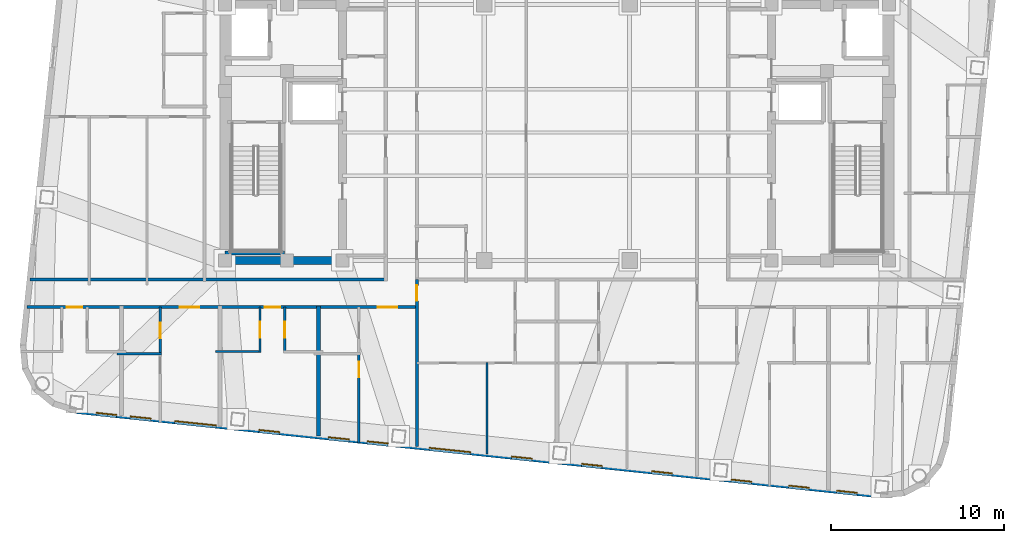
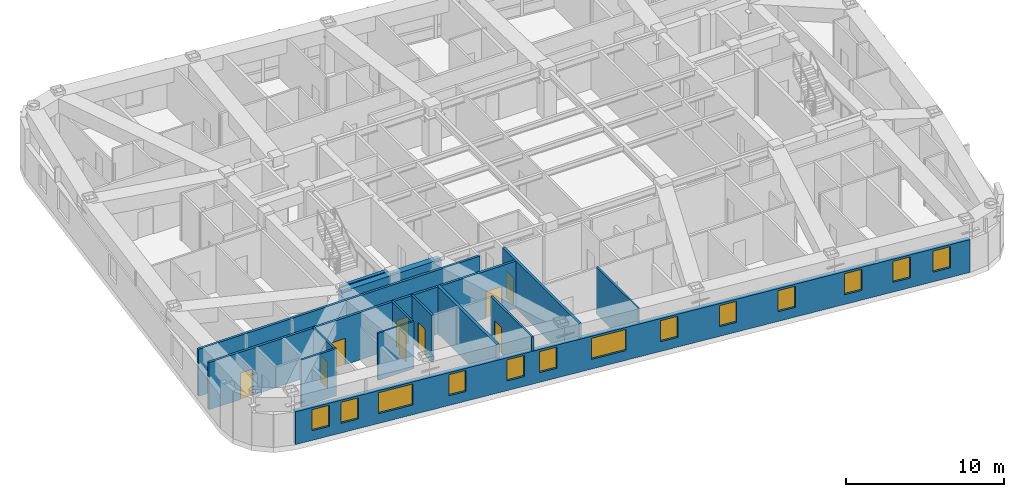
# One storey, part 8 of 16: 14 walls, 13 windows, 9 doors, 22 openings.
"""IFC4 building model written with IfcOpenShell, lengths in metres."""

from ifc_helpers import new_model, si_unit, direction, frame, frame_2d, origin, place, context, subcontext, project, spatial, rectangle, extrude, material, layer, layer_set, type_object, element, fill, save


model = new_model("IFC4")

# Units and contexts
model_context = context("Model", 3, precision=1e-05, world=origin(), true_north=direction((0.0, 1.0)))
body_context = subcontext(model_context, "Body", "Model", "MODEL_VIEW")
ifc_project = project(units=[si_unit("LENGTHUNIT", "METRE"), si_unit("AREAUNIT", "SQUARE_METRE"), si_unit("VOLUMEUNIT", "CUBIC_METRE"), si_unit("PLANEANGLEUNIT", "RADIAN"), si_unit("MASSUNIT", "GRAM", prefix="KILO")], contexts=[model_context])

# Site, building, storey
site_placement = place(None, origin())
site = spatial("IfcSite", under=ifc_project, at=site_placement, CompositionType="ELEMENT")
building_placement = place(site_placement, origin())
building = spatial("IfcBuilding", under=site, at=building_placement, Name="Voryun Gate Residences", CompositionType="ELEMENT")
storey_placement = place(building_placement, frame((0.0, 0.0, 260.0)))
storey = spatial("IfcBuildingStorey", under=building, at=storey_placement, Name="L64", CompositionType="ELEMENT", Elevation=260.0)

# Walls
ifc_material_1 = material(Name="Concrete C50/60", Category="concrete")
ifc_layer_1 = layer(ifc_material_1, 0.449951171875, Name="CW_CORE_450")
ifc_layer_set_1 = layer_set([ifc_layer_1], Name="Concrete C50/60")
wall_type_1 = type_object("IfcWallType", Name="CW_CORE_450", PredefinedType="SHEAR", material=ifc_layer_set_1)
wall_1_placement = place(storey_placement, frame((-19.425048828125, -7.39990234375, 0.0), z_axis=(0.0, 0.0, 1.0), x_axis=(1.0, 0.0, 0.0)))
element("IfcWall", 1, at=wall_1_placement, inside=storey, type_object=wall_type_1, Name="L64 Core shear wall CW-L64-WS", PredefinedType="SHEAR", context=body_context, shape_type="SweptSolid", body=[
    extrude(rectangle(XDim=7.25, YDim=0.449951171875, at=frame_2d((3.625, 0.0))), origin(), (0.0, 0.0, 1.0), 3.64990234375),
])
ifc_material_2 = material(Name="Gypsum acoustic fireboard")
ifc_layer_2 = layer(ifc_material_2, 0.179931640625, Name="W_CORR_RATED_180")
ifc_layer_set_2 = layer_set([ifc_layer_2], Name="Gypsum acoustic fireboard")
wall_type_2 = type_object("IfcWallType", Name="W_CORR_RATED_180", PredefinedType="PARTITIONING", material=ifc_layer_set_2)
wall_2_placement = place(storey_placement, frame((-30.47021484375, -8.489990234375, 0.0), z_axis=(0.0, 0.0, 1.0), x_axis=(1.0, 0.0, 0.0)))
element("IfcWall", 2, at=wall_2_placement, inside=storey, type_object=wall_type_2, Name="Partition wall WP-L64-CWING-WS", PredefinedType="PARTITIONING", context=body_context, shape_type="SweptSolid", body=[
    extrude(rectangle(XDim=20.59033203125, YDim=0.179931640625, at=frame_2d((10.295166015625, 0.0))), origin(), (0.0, 0.0, 1.0), 3.64990234375),
])

# Wall, openings, doors
wall_3_placement = place(storey_placement, frame((-30.639404296875, -10.10009765625, 0.0), z_axis=(0.0, 0.0, 1.0), x_axis=(1.0, 0.0, 0.0)))
wall_3 = element("IfcWall", 3, at=wall_3_placement, inside=storey, type_object=wall_type_2, Name="Partition wall WP-L64-SCORR-W", PredefinedType="PARTITIONING", context=body_context, shape_type="SweptSolid", body=[
    extrude(rectangle(XDim=22.559326171875, YDim=0.179931640625, at=frame_2d((11.27978515625, 0.0))), origin(), (0.0, 0.0, 1.0), 3.64990234375),
])
opening_1_placement = place(wall_3_placement, frame((2.297607421875, 0.0, 0.0)))
opening_1 = element("IfcOpeningElement", 4, at=opening_1_placement, cuts=wall_3, Name="Opening D-INT-2", PredefinedType="OPENING", context=body_context, shape_type="SweptSolid", body=[
    extrude(rectangle(XDim=0.89990234375, YDim=2.050048828125, at=frame_2d((0.449951171875, 1.02490234375))), frame((0.0, 0.099853515625, 0.0), z_axis=(0.0, -1.0, 0.0), x_axis=(1.0, 0.0, 0.0)), (0.0, 0.0, 1.0), 0.199951171875),
])
opening_2_placement = place(wall_3_placement, frame((8.8232421875, 0.0, 0.0)))
opening_2 = element("IfcOpeningElement", 5, at=opening_2_placement, cuts=wall_3, Name="Opening D-UNIT-1", PredefinedType="OPENING", context=body_context, shape_type="SweptSolid", body=[
    extrude(rectangle(XDim=1.14990234375, YDim=2.050048828125, at=frame_2d((0.574951171875, 1.02490234375))), frame((0.0, 0.099853515625, 0.0), z_axis=(0.0, -1.0, 0.0), x_axis=(1.0, 0.0, 0.0)), (0.0, 0.0, 1.0), 0.199951171875),
])
opening_3_placement = place(wall_3_placement, frame((13.737548828125, 0.0, 0.0)))
opening_3 = element("IfcOpeningElement", 6, at=opening_3_placement, cuts=wall_3, Name="Opening D-INT-2", PredefinedType="OPENING", context=body_context, shape_type="SweptSolid", body=[
    extrude(rectangle(XDim=0.89990234375, YDim=2.050048828125, at=frame_2d((0.449951171875, 1.02490234375))), frame((0.0, 0.099853515625, 0.0), z_axis=(0.0, -1.0, 0.0), x_axis=(1.0, 0.0, 0.0)), (0.0, 0.0, 1.0), 0.199951171875),
])
opening_4_placement = place(wall_3_placement, frame((20.269775390625, 0.0, 0.0)))
opening_4 = element("IfcOpeningElement", 7, at=opening_4_placement, cuts=wall_3, Name="Opening D-UNIT-1", PredefinedType="OPENING", context=body_context, shape_type="SweptSolid", body=[
    extrude(rectangle(XDim=1.14990234375, YDim=2.050048828125, at=frame_2d((0.574951171875, 1.02490234375))), frame((0.0, 0.099853515625, 0.0), z_axis=(0.0, -1.0, 0.0), x_axis=(1.0, 0.0, 0.0)), (0.0, 0.0, 1.0), 0.199951171875),
])
ifc_material_3 = material(Name="Architectural oak veneer")
door_type_1 = type_object("IfcDoorType", Name="DR_INT_BATH_900", OperationType="NOTDEFINED", PredefinedType="DOOR", material=ifc_material_3)
door_1_placement = place(opening_1_placement, origin())
door_1 = element("IfcDoor", 8, at=door_1_placement, inside=storey, type_object=door_type_1, Name="Door DR-L64-SENT-1", OperationType="SINGLE_SWING_RIGHT", OverallHeight=2.050048828125, OverallWidth=0.89990234375, PredefinedType="DOOR", context=body_context, shape_type="SweptSolid", body=[
    extrude(rectangle(XDim=0.89990234375, YDim=2.050048828125, at=frame_2d((0.449951171875, 1.02490234375))), frame((0.0, 0.02490234375, 0.0), z_axis=(0.0, -1.0, 0.0), x_axis=(1.0, 0.0, 0.0)), (0.0, 0.0, 1.0), 0.050048828125),
])
fill(opening_1, door_1)
door_2_placement = place(opening_3_placement, origin())
door_2 = element("IfcDoor", 9, at=door_2_placement, inside=storey, type_object=door_type_1, Name="Door DR-L64-SENT-3", OperationType="SINGLE_SWING_RIGHT", OverallHeight=2.050048828125, OverallWidth=0.89990234375, PredefinedType="DOOR", context=body_context, shape_type="SweptSolid", body=[
    extrude(rectangle(XDim=0.89990234375, YDim=2.050048828125, at=frame_2d((0.449951171875, 1.02490234375))), frame((0.0, 0.02490234375, 0.0), z_axis=(0.0, -1.0, 0.0), x_axis=(1.0, 0.0, 0.0)), (0.0, 0.0, 1.0), 0.050048828125),
])
fill(opening_3, door_2)
ifc_material_4 = material(Name="Armoured timber-clad fire door", Category="wood")
door_type_2 = type_object("IfcDoorType", Name="DR_UNIT_ENTRY_1150", OperationType="NOTDEFINED", PredefinedType="DOOR", material=ifc_material_4)
door_3_placement = place(opening_2_placement, origin())
door_3 = element("IfcDoor", 10, at=door_3_placement, inside=storey, type_object=door_type_2, Name="Door DR-L64-SENT-2", OperationType="SINGLE_SWING_LEFT", OverallHeight=2.050048828125, OverallWidth=1.14990234375, PredefinedType="DOOR", context=body_context, shape_type="SweptSolid", body=[
    extrude(rectangle(XDim=1.14990234375, YDim=2.050048828125, at=frame_2d((0.574951171875, 1.02490234375))), frame((0.0, 0.02490234375, 0.0), z_axis=(0.0, -1.0, 0.0), x_axis=(1.0, 0.0, 0.0)), (0.0, 0.0, 1.0), 0.050048828125),
])
fill(opening_2, door_3)
door_4_placement = place(opening_4_placement, origin())
door_4 = element("IfcDoor", 11, at=door_4_placement, inside=storey, type_object=door_type_2, Name="Door DR-L64-SENT-4", OperationType="SINGLE_SWING_LEFT", OverallHeight=2.050048828125, OverallWidth=1.14990234375, PredefinedType="DOOR", context=body_context, shape_type="SweptSolid", body=[
    extrude(rectangle(XDim=1.14990234375, YDim=2.050048828125, at=frame_2d((0.574951171875, 1.02490234375))), frame((0.0, 0.02490234375, 0.0), z_axis=(0.0, -1.0, 0.0), x_axis=(1.0, 0.0, 0.0)), (0.0, 0.0, 1.0), 0.050048828125),
])
fill(opening_4, door_4)

# Wall, opening, door
wall_4_placement = place(storey_placement, frame((-8.10009765625, -18.154541015625, 0.0), z_axis=(0.0, 0.0, 1.0), x_axis=(0.0, 1.0, 0.0)))
wall_4 = element("IfcWall", 12, at=wall_4_placement, inside=storey, type_object=wall_type_2, Name="Partition wall WP-L64-SZV-1", PredefinedType="PARTITIONING", context=body_context, shape_type="SweptSolid", body=[
    extrude(rectangle(XDim=9.66455078125, YDim=0.179931640625, at=frame_2d((4.832275390625, 0.0))), origin(), (0.0, 0.0, 1.0), 3.64990234375),
])
opening_5_placement = place(wall_4_placement, frame((8.414306640625, 0.0, 0.0)))
opening_5 = element("IfcOpeningElement", 13, at=opening_5_placement, cuts=wall_4, Name="Opening D-INT-2", PredefinedType="OPENING", context=body_context, shape_type="SweptSolid", body=[
    extrude(rectangle(XDim=0.89990234375, YDim=2.050048828125, at=frame_2d((0.449951171875, 1.02490234375))), frame((0.0, 0.099853515625, 0.0), z_axis=(0.0, -1.0, 0.0), x_axis=(1.0, 0.0, 0.0)), (0.0, 0.0, 1.0), 0.199951171875),
])
door_5_placement = place(opening_5_placement, origin())
door_5 = element("IfcDoor", 14, at=door_5_placement, inside=storey, type_object=door_type_1, Name="Door DR-L64-SZENT-1", OperationType="SINGLE_SWING_LEFT", OverallHeight=2.050048828125, OverallWidth=0.89990234375, PredefinedType="DOOR", context=body_context, shape_type="SweptSolid", body=[
    extrude(rectangle(XDim=0.89990234375, YDim=2.050048828125, at=frame_2d((0.449951171875, 1.02490234375))), frame((0.0, 0.02490234375, 0.0), z_axis=(0.0, -1.0, 0.0), x_axis=(1.0, 0.0, 0.0)), (0.0, 0.0, 1.0), 0.050048828125),
])
fill(opening_5, door_5)

# Wall, openings, windows
ifc_material_5 = material(Name="Charcoal terracotta masonry", Category="masonry")
ifc_layer_3 = layer(ifc_material_5, 0.340087890625, Name="W_EXT_TERRACOTTA_340")
ifc_layer_set_3 = layer_set([ifc_layer_3], Name="Charcoal terracotta masonry")
wall_type_3 = type_object("IfcWallType", Name="W_EXT_TERRACOTTA_340", PredefinedType="ELEMENTEDWALL", material=ifc_layer_set_3)
wall_5_placement = place(storey_placement, frame((18.707763671875, -20.97216796875, 0.0), z_axis=(0.0, 0.0, 1.0), x_axis=(-0.994521888554, 0.104528528102, 0.0)))
wall_5 = element("IfcWall", 15, at=wall_5_placement, inside=storey, type_object=wall_type_3, Name="Exterior wall WEXT-L64-01", PredefinedType="ELEMENTEDWALL", context=body_context, shape_type="SweptSolid", body=[
    extrude(rectangle(XDim=46.766357421875, YDim=0.340087890625, at=frame_2d((23.38330078125, 0.0))), origin(), (0.0, 0.0, 1.0), 2.5400390625),
])
opening_6_placement = place(wall_5_placement, frame((23.833251953125, 0.0, 0.75)))
opening_6 = element("IfcOpeningElement", 16, at=opening_6_placement, cuts=wall_5, Name="Opening WN2", PredefinedType="OPENING", context=body_context, shape_type="SweptSolid", body=[
    extrude(rectangle(XDim=2.39990234375, YDim=1.6298828125, at=frame_2d((1.199951171875, 0.81494140625))), frame((0.0, 0.179931640625, 0.0), z_axis=(0.0, -1.0, 0.0), x_axis=(1.0, 0.0, 0.0)), (0.0, 0.0, 1.0), 0.360107421875),
])
opening_7_placement = place(wall_5_placement, frame((38.6220703125, 0.0, 0.75)))
opening_7 = element("IfcOpeningElement", 17, at=opening_7_placement, cuts=wall_5, Name="Opening WN2", PredefinedType="OPENING", context=body_context, shape_type="SweptSolid", body=[
    extrude(rectangle(XDim=2.39990234375, YDim=1.6298828125, at=frame_2d((1.199951171875, 0.81494140625))), frame((0.0, 0.179931640625, 0.0), z_axis=(0.0, -1.0, 0.0), x_axis=(1.0, 0.0, 0.0)), (0.0, 0.0, 1.0), 0.360107421875),
])
opening_8_placement = place(wall_5_placement, frame((44.40185546875, 0.0, 0.75)))
opening_8 = element("IfcOpeningElement", 18, at=opening_8_placement, cuts=wall_5, Name="Opening WN6", PredefinedType="OPENING", context=body_context, shape_type="SweptSolid", body=[
    extrude(rectangle(XDim=1.199951171875, YDim=1.6298828125, at=frame_2d((0.60009765625, 0.81494140625))), frame((0.0, 0.179931640625, 0.0), z_axis=(0.0, -1.0, 0.0), x_axis=(1.0, 0.0, 0.0)), (0.0, 0.0, 1.0), 0.360107421875),
])
opening_9_placement = place(wall_5_placement, frame((42.40576171875, 0.0, 0.75)))
opening_9 = element("IfcOpeningElement", 19, at=opening_9_placement, cuts=wall_5, Name="Opening WN6", PredefinedType="OPENING", context=body_context, shape_type="SweptSolid", body=[
    extrude(rectangle(XDim=1.199951171875, YDim=1.6298828125, at=frame_2d((0.60009765625, 0.81494140625))), frame((0.0, 0.179931640625, 0.0), z_axis=(0.0, -1.0, 0.0), x_axis=(1.0, 0.0, 0.0)), (0.0, 0.0, 1.0), 0.360107421875),
])
opening_10_placement = place(wall_5_placement, frame((34.93310546875, 0.0, 0.75)))
opening_10 = element("IfcOpeningElement", 20, at=opening_10_placement, cuts=wall_5, Name="Opening WN6", PredefinedType="OPENING", context=body_context, shape_type="SweptSolid", body=[
    extrude(rectangle(XDim=1.199951171875, YDim=1.6298828125, at=frame_2d((0.60009765625, 0.81494140625))), frame((0.0, 0.179931640625, 0.0), z_axis=(0.0, -1.0, 0.0), x_axis=(1.0, 0.0, 0.0)), (0.0, 0.0, 1.0), 0.360107421875),
])
opening_11_placement = place(wall_5_placement, frame((28.630859375, 0.0, 0.75)))
opening_11 = element("IfcOpeningElement", 21, at=opening_11_placement, cuts=wall_5, Name="Opening WN6", PredefinedType="OPENING", context=body_context, shape_type="SweptSolid", body=[
    extrude(rectangle(XDim=1.199951171875, YDim=1.6298828125, at=frame_2d((0.60009765625, 0.81494140625))), frame((0.0, 0.179931640625, 0.0), z_axis=(0.0, -1.0, 0.0), x_axis=(1.0, 0.0, 0.0)), (0.0, 0.0, 1.0), 0.360107421875),
])
opening_12_placement = place(wall_5_placement, frame((30.89599609375, 0.0, 0.75)))
opening_12 = element("IfcOpeningElement", 22, at=opening_12_placement, cuts=wall_5, Name="Opening WN6", PredefinedType="OPENING", context=body_context, shape_type="SweptSolid", body=[
    extrude(rectangle(XDim=1.199951171875, YDim=1.6298828125, at=frame_2d((0.60009765625, 0.81494140625))), frame((0.0, 0.179931640625, 0.0), z_axis=(0.0, -1.0, 0.0), x_axis=(1.0, 0.0, 0.0)), (0.0, 0.0, 1.0), 0.360107421875),
])
opening_13_placement = place(wall_5_placement, frame((7.491943359375, 0.0, 0.75)))
opening_13 = element("IfcOpeningElement", 23, at=opening_13_placement, cuts=wall_5, Name="Opening WN6", PredefinedType="OPENING", context=body_context, shape_type="SweptSolid", body=[
    extrude(rectangle(XDim=1.199951171875, YDim=1.6298828125, at=frame_2d((0.60009765625, 0.81494140625))), frame((0.0, 0.179931640625, 0.0), z_axis=(0.0, -1.0, 0.0), x_axis=(1.0, 0.0, 0.0)), (0.0, 0.0, 1.0), 0.360107421875),
])
opening_14_placement = place(wall_5_placement, frame((4.14111328125, 0.0, 0.75)))
opening_14 = element("IfcOpeningElement", 24, at=opening_14_placement, cuts=wall_5, Name="Opening WN6", PredefinedType="OPENING", context=body_context, shape_type="SweptSolid", body=[
    extrude(rectangle(XDim=1.199951171875, YDim=1.6298828125, at=frame_2d((0.60009765625, 0.81494140625))), frame((0.0, 0.179931640625, 0.0), z_axis=(0.0, -1.0, 0.0), x_axis=(1.0, 0.0, 0.0)), (0.0, 0.0, 1.0), 0.360107421875),
])
opening_15_placement = place(wall_5_placement, frame((1.359619140625, 0.0, 0.75)))
opening_15 = element("IfcOpeningElement", 25, at=opening_15_placement, cuts=wall_5, Name="Opening WN6", PredefinedType="OPENING", context=body_context, shape_type="SweptSolid", body=[
    extrude(rectangle(XDim=1.199951171875, YDim=1.6298828125, at=frame_2d((0.60009765625, 0.81494140625))), frame((0.0, 0.179931640625, 0.0), z_axis=(0.0, -1.0, 0.0), x_axis=(1.0, 0.0, 0.0)), (0.0, 0.0, 1.0), 0.360107421875),
])
opening_16_placement = place(wall_5_placement, frame((20.25439453125, 0.0, 0.75)))
opening_16 = element("IfcOpeningElement", 26, at=opening_16_placement, cuts=wall_5, Name="Opening WN6", PredefinedType="OPENING", context=body_context, shape_type="SweptSolid", body=[
    extrude(rectangle(XDim=1.199951171875, YDim=1.6298828125, at=frame_2d((0.60009765625, 0.81494140625))), frame((0.0, 0.179931640625, 0.0), z_axis=(0.0, -1.0, 0.0), x_axis=(1.0, 0.0, 0.0)), (0.0, 0.0, 1.0), 0.360107421875),
])
opening_17_placement = place(wall_5_placement, frame((16.172119140625, 0.0, 0.75)))
opening_17 = element("IfcOpeningElement", 27, at=opening_17_placement, cuts=wall_5, Name="Opening WN6", PredefinedType="OPENING", context=body_context, shape_type="SweptSolid", body=[
    extrude(rectangle(XDim=1.199951171875, YDim=1.6298828125, at=frame_2d((0.60009765625, 0.81494140625))), frame((0.0, 0.179931640625, 0.0), z_axis=(0.0, -1.0, 0.0), x_axis=(1.0, 0.0, 0.0)), (0.0, 0.0, 1.0), 0.360107421875),
])
opening_18_placement = place(wall_5_placement, frame((12.109619140625, 0.0, 0.75)))
opening_18 = element("IfcOpeningElement", 28, at=opening_18_placement, cuts=wall_5, Name="Opening WN6", PredefinedType="OPENING", context=body_context, shape_type="SweptSolid", body=[
    extrude(rectangle(XDim=1.199951171875, YDim=1.6298828125, at=frame_2d((0.60009765625, 0.81494140625))), frame((0.0, 0.179931640625, 0.0), z_axis=(0.0, -1.0, 0.0), x_axis=(1.0, 0.0, 0.0)), (0.0, 0.0, 1.0), 0.360107421875),
])
ifc_material_6 = material(Name="Laminated low-E glass", Category="glass")
window_type_1 = type_object("IfcWindowType", Name="WN_POD_SLOT_1200", PartitioningType="SINGLE_PANEL", PredefinedType="WINDOW", material=ifc_material_6)
window_1_placement = place(opening_8_placement, origin())
window_1 = element("IfcWindow", 29, at=window_1_placement, inside=storey, type_object=window_type_1, Name="Window WN-L64-DWFIX-06", OverallHeight=1.6298828125, OverallWidth=1.199951171875, PartitioningType="SINGLE_PANEL", PredefinedType="WINDOW", context=body_context, shape_type="SweptSolid", body=[
    extrude(rectangle(XDim=1.199951171875, YDim=1.6298828125, at=frame_2d((0.60009765625, 0.81494140625))), frame((0.0, 0.030029296875, 0.0), z_axis=(0.0, -1.0, 0.0), x_axis=(1.0, 0.0, 0.0)), (0.0, 0.0, 1.0), 0.06005859375),
])
fill(opening_8, window_1)
window_2_placement = place(opening_9_placement, origin())
window_2 = element("IfcWindow", 30, at=window_2_placement, inside=storey, type_object=window_type_1, Name="Window WN-L64-DWFIX-07", OverallHeight=1.6298828125, OverallWidth=1.199951171875, PartitioningType="SINGLE_PANEL", PredefinedType="WINDOW", context=body_context, shape_type="SweptSolid", body=[
    extrude(rectangle(XDim=1.199951171875, YDim=1.6298828125, at=frame_2d((0.60009765625, 0.81494140625))), frame((0.0, 0.030029296875, 0.0), z_axis=(0.0, -1.0, 0.0), x_axis=(1.0, 0.0, 0.0)), (0.0, 0.0, 1.0), 0.06005859375),
])
fill(opening_9, window_2)
window_3_placement = place(opening_10_placement, origin())
window_3 = element("IfcWindow", 31, at=window_3_placement, inside=storey, type_object=window_type_1, Name="Window WN-L64-DWFIX-08", OverallHeight=1.6298828125, OverallWidth=1.199951171875, PartitioningType="SINGLE_PANEL", PredefinedType="WINDOW", context=body_context, shape_type="SweptSolid", body=[
    extrude(rectangle(XDim=1.199951171875, YDim=1.6298828125, at=frame_2d((0.60009765625, 0.81494140625))), frame((0.0, 0.030029296875, 0.0), z_axis=(0.0, -1.0, 0.0), x_axis=(1.0, 0.0, 0.0)), (0.0, 0.0, 1.0), 0.06005859375),
])
fill(opening_10, window_3)
window_4_placement = place(opening_11_placement, origin())
window_4 = element("IfcWindow", 32, at=window_4_placement, inside=storey, type_object=window_type_1, Name="Window WN-L64-DWFIX-09", OverallHeight=1.6298828125, OverallWidth=1.199951171875, PartitioningType="SINGLE_PANEL", PredefinedType="WINDOW", context=body_context, shape_type="SweptSolid", body=[
    extrude(rectangle(XDim=1.199951171875, YDim=1.6298828125, at=frame_2d((0.60009765625, 0.81494140625))), frame((0.0, 0.030029296875, 0.0), z_axis=(0.0, -1.0, 0.0), x_axis=(1.0, 0.0, 0.0)), (0.0, 0.0, 1.0), 0.06005859375),
])
fill(opening_11, window_4)
window_5_placement = place(opening_12_placement, origin())
window_5 = element("IfcWindow", 33, at=window_5_placement, inside=storey, type_object=window_type_1, Name="Window WN-L64-DWFIX-10", OverallHeight=1.6298828125, OverallWidth=1.199951171875, PartitioningType="SINGLE_PANEL", PredefinedType="WINDOW", context=body_context, shape_type="SweptSolid", body=[
    extrude(rectangle(XDim=1.199951171875, YDim=1.6298828125, at=frame_2d((0.60009765625, 0.81494140625))), frame((0.0, 0.030029296875, 0.0), z_axis=(0.0, -1.0, 0.0), x_axis=(1.0, 0.0, 0.0)), (0.0, 0.0, 1.0), 0.06005859375),
])
fill(opening_12, window_5)
window_6_placement = place(opening_13_placement, origin())
window_6 = element("IfcWindow", 34, at=window_6_placement, inside=storey, type_object=window_type_1, Name="Window WN-L64-DWFIX-11", OverallHeight=1.6298828125, OverallWidth=1.199951171875, PartitioningType="SINGLE_PANEL", PredefinedType="WINDOW", context=body_context, shape_type="SweptSolid", body=[
    extrude(rectangle(XDim=1.199951171875, YDim=1.6298828125, at=frame_2d((0.60009765625, 0.81494140625))), frame((0.0, 0.030029296875, 0.0), z_axis=(0.0, -1.0, 0.0), x_axis=(1.0, 0.0, 0.0)), (0.0, 0.0, 1.0), 0.06005859375),
])
fill(opening_13, window_6)
window_7_placement = place(opening_14_placement, origin())
window_7 = element("IfcWindow", 35, at=window_7_placement, inside=storey, type_object=window_type_1, Name="Window WN-L64-DWFIX-12", OverallHeight=1.6298828125, OverallWidth=1.199951171875, PartitioningType="SINGLE_PANEL", PredefinedType="WINDOW", context=body_context, shape_type="SweptSolid", body=[
    extrude(rectangle(XDim=1.199951171875, YDim=1.6298828125, at=frame_2d((0.60009765625, 0.81494140625))), frame((0.0, 0.030029296875, 0.0), z_axis=(0.0, -1.0, 0.0), x_axis=(1.0, 0.0, 0.0)), (0.0, 0.0, 1.0), 0.06005859375),
])
fill(opening_14, window_7)
window_8_placement = place(opening_15_placement, origin())
window_8 = element("IfcWindow", 36, at=window_8_placement, inside=storey, type_object=window_type_1, Name="Window WN-L64-DWFIX-13", OverallHeight=1.6298828125, OverallWidth=1.199951171875, PartitioningType="SINGLE_PANEL", PredefinedType="WINDOW", context=body_context, shape_type="SweptSolid", body=[
    extrude(rectangle(XDim=1.199951171875, YDim=1.6298828125, at=frame_2d((0.60009765625, 0.81494140625))), frame((0.0, 0.030029296875, 0.0), z_axis=(0.0, -1.0, 0.0), x_axis=(1.0, 0.0, 0.0)), (0.0, 0.0, 1.0), 0.06005859375),
])
fill(opening_15, window_8)
window_9_placement = place(opening_16_placement, origin())
window_9 = element("IfcWindow", 37, at=window_9_placement, inside=storey, type_object=window_type_1, Name="Window WN-L64-DWFIX-15", OverallHeight=1.6298828125, OverallWidth=1.199951171875, PartitioningType="SINGLE_PANEL", PredefinedType="WINDOW", context=body_context, shape_type="SweptSolid", body=[
    extrude(rectangle(XDim=1.199951171875, YDim=1.6298828125, at=frame_2d((0.60009765625, 0.81494140625))), frame((0.0, 0.030029296875, 0.0), z_axis=(0.0, -1.0, 0.0), x_axis=(1.0, 0.0, 0.0)), (0.0, 0.0, 1.0), 0.06005859375),
])
fill(opening_16, window_9)
window_10_placement = place(opening_17_placement, origin())
window_10 = element("IfcWindow", 38, at=window_10_placement, inside=storey, type_object=window_type_1, Name="Window WN-L64-DWFIX-16", OverallHeight=1.6298828125, OverallWidth=1.199951171875, PartitioningType="SINGLE_PANEL", PredefinedType="WINDOW", context=body_context, shape_type="SweptSolid", body=[
    extrude(rectangle(XDim=1.199951171875, YDim=1.6298828125, at=frame_2d((0.60009765625, 0.81494140625))), frame((0.0, 0.030029296875, 0.0), z_axis=(0.0, -1.0, 0.0), x_axis=(1.0, 0.0, 0.0)), (0.0, 0.0, 1.0), 0.06005859375),
])
fill(opening_17, window_10)
window_11_placement = place(opening_18_placement, origin())
window_11 = element("IfcWindow", 39, at=window_11_placement, inside=storey, type_object=window_type_1, Name="Window WN-L64-DWFIX-17", OverallHeight=1.6298828125, OverallWidth=1.199951171875, PartitioningType="SINGLE_PANEL", PredefinedType="WINDOW", context=body_context, shape_type="SweptSolid", body=[
    extrude(rectangle(XDim=1.199951171875, YDim=1.6298828125, at=frame_2d((0.60009765625, 0.81494140625))), frame((0.0, 0.030029296875, 0.0), z_axis=(0.0, -1.0, 0.0), x_axis=(1.0, 0.0, 0.0)), (0.0, 0.0, 1.0), 0.06005859375),
])
fill(opening_18, window_11)
ifc_material_7 = material(Name="Laminated low-E glass", Category="glass")
window_type_2 = type_object("IfcWindowType", Name="WN_RES_WIDE_2400", PartitioningType="SINGLE_PANEL", PredefinedType="WINDOW", material=ifc_material_7)
window_12_placement = place(opening_6_placement, origin())
window_12 = element("IfcWindow", 40, at=window_12_placement, inside=storey, type_object=window_type_2, Name="Window WN-WEXT-L64-01-02", OverallHeight=1.6298828125, OverallWidth=2.39990234375, PartitioningType="SINGLE_PANEL", PredefinedType="WINDOW", context=body_context, shape_type="SweptSolid", body=[
    extrude(rectangle(XDim=2.39990234375, YDim=1.6298828125, at=frame_2d((1.199951171875, 0.81494140625))), frame((0.0, 0.030029296875, 0.0), z_axis=(0.0, -1.0, 0.0), x_axis=(1.0, 0.0, 0.0)), (0.0, 0.0, 1.0), 0.06005859375),
])
fill(opening_6, window_12)
window_13_placement = place(opening_7_placement, origin())
window_13 = element("IfcWindow", 41, at=window_13_placement, inside=storey, type_object=window_type_2, Name="Window WN-WEXT-L64-01-03", OverallHeight=1.6298828125, OverallWidth=2.39990234375, PartitioningType="SINGLE_PANEL", PredefinedType="WINDOW", context=body_context, shape_type="SweptSolid", body=[
    extrude(rectangle(XDim=2.39990234375, YDim=1.6298828125, at=frame_2d((1.199951171875, 0.81494140625))), frame((0.0, 0.030029296875, 0.0), z_axis=(0.0, -1.0, 0.0), x_axis=(1.0, 0.0, 0.0)), (0.0, 0.0, 1.0), 0.06005859375),
])
fill(opening_7, window_13)

# Walls
ifc_material_8 = material(Name="Concrete C40/50", Category="concrete")
ifc_layer_4 = layer(ifc_material_8, 0.219970703125, Name="W_PARTY_ACOUSTIC_220")
ifc_layer_set_4 = layer_set([ifc_layer_4], Name="Concrete C40/50")
wall_type_4 = type_object("IfcWallType", Name="W_PARTY_ACOUSTIC_220", PredefinedType="PARTITIONING", material=ifc_layer_set_4)
wall_6_placement = place(storey_placement, frame((-13.779052734375, -17.5576171875, 0.0), z_axis=(0.0, 0.0, 1.0), x_axis=(0.0, 1.0, 0.0)))
element("IfcWall", 42, at=wall_6_placement, inside=storey, type_object=wall_type_4, Name="Partition wall WP-L64-SPTY-3", PredefinedType="PARTITIONING", context=body_context, shape_type="SweptSolid", body=[
    extrude(rectangle(XDim=7.53759765625, YDim=0.219970703125, at=frame_2d((3.768798828125, 0.0))), origin(), (0.0, 0.0, 1.0), 3.64990234375),
])
ifc_material_9 = material(Name="Concrete C50/60", Category="concrete")
ifc_layer_5 = layer(ifc_material_9, 0.25, Name="W_SHAFT_RC250")
ifc_layer_set_5 = layer_set([ifc_layer_5], Name="Concrete C50/60")
wall_type_5 = type_object("IfcWallType", Name="W_SHAFT_RC250", PredefinedType="SOLIDWALL", material=ifc_layer_set_5)
wall_7_placement = place(storey_placement, frame((-19.199951171875, -6.965087890625, 0.0), z_axis=(0.0, 0.0, 1.0), x_axis=(1.0, 0.0, 0.0)))
element("IfcWall", 43, at=wall_7_placement, inside=storey, type_object=wall_type_5, Name="L64 Stair shaft structural wall W-STS", PredefinedType="SOLIDWALL", context=body_context, shape_type="SweptSolid", body=[
    extrude(rectangle(XDim=3.4599609375, YDim=0.25, at=frame_2d((1.72998046875, 0.0))), origin(), (0.0, 0.0, 1.0), 3.64990234375),
])

# Wall, opening, door
ifc_material_10 = material(Name="Gypsum acoustic partition")
ifc_layer_6 = layer(ifc_material_10, 0.125, Name="W_UNIT_PART_125")
ifc_layer_set_6 = layer_set([ifc_layer_6], Name="Gypsum acoustic partition")
wall_type_6 = type_object("IfcWallType", Name="W_UNIT_PART_125", PredefinedType="PARTITIONING", material=ifc_layer_set_6)
wall_8_placement = place(storey_placement, frame((-17.16796875, -12.72998046875, 0.0), z_axis=(0.0, 0.0, 1.0), x_axis=(0.0, 1.0, 0.0)))
wall_8 = element("IfcWall", 44, at=wall_8_placement, inside=storey, type_object=wall_type_6, Name="Partition wall WP-L64-S3-CVK", PredefinedType="PARTITIONING", context=body_context, shape_type="SweptSolid", body=[
    extrude(rectangle(XDim=2.64990234375, YDim=0.125, at=frame_2d((1.324951171875, 0.0))), origin(), (0.0, 0.0, 1.0), 3.64990234375),
])
opening_19_placement = place(wall_8_placement, frame((0.875, 0.0, 0.0)))
opening_19 = element("IfcOpeningElement", 45, at=opening_19_placement, cuts=wall_8, Name="Opening D-INT-2", PredefinedType="OPENING", context=body_context, shape_type="SweptSolid", body=[
    extrude(rectangle(XDim=0.89990234375, YDim=2.050048828125, at=frame_2d((0.449951171875, 1.02490234375))), frame((0.0, 0.072509765625, 0.0), z_axis=(0.0, -1.0, 0.0), x_axis=(1.0, 0.0, 0.0)), (0.0, 0.0, 1.0), 0.14501953125),
])
door_6_placement = place(opening_19_placement, origin())
door_6 = element("IfcDoor", 46, at=door_6_placement, inside=storey, type_object=door_type_1, Name="Door DR-L64-S3-DK", OperationType="SINGLE_SWING_LEFT", OverallHeight=2.050048828125, OverallWidth=0.89990234375, PredefinedType="DOOR", context=body_context, shape_type="SweptSolid", body=[
    extrude(rectangle(XDim=0.89990234375, YDim=2.050048828125, at=frame_2d((0.449951171875, 1.02490234375))), frame((0.0, 0.02490234375, 0.0), z_axis=(0.0, -1.0, 0.0), x_axis=(1.0, 0.0, 0.0)), (0.0, 0.0, 1.0), 0.050048828125),
])
fill(opening_19, door_6)

# Walls
wall_9_placement = place(storey_placement, frame((-19.738037109375, -12.669921875, 0.0), z_axis=(0.0, 0.0, 1.0), x_axis=(1.0, 0.0, 0.0)))
element("IfcWall", 47, at=wall_9_placement, inside=storey, type_object=wall_type_6, Name="Partition wall WP-L64-S3-CHK", PredefinedType="PARTITIONING", context=body_context, shape_type="SweptSolid", body=[
    extrude(rectangle(XDim=2.630126953125, YDim=0.125, at=frame_2d((1.31494140625, 0.0))), origin(), (0.0, 0.0, 1.0), 3.64990234375),
])
wall_10_placement = place(storey_placement, frame((-4.050048828125, -18.580078125, 0.0), z_axis=(0.0, 0.0, 1.0), x_axis=(0.0, 1.0, 0.0)))
element("IfcWall", 48, at=wall_10_placement, inside=storey, type_object=wall_type_6, Name="Partition wall WP-L64-SC1-VBD", PredefinedType="PARTITIONING", context=body_context, shape_type="SweptSolid", body=[
    extrude(rectangle(XDim=5.2900390625, YDim=0.125, at=frame_2d((2.64501953125, 0.0))), origin(), (0.0, 0.0, 1.0), 3.64990234375),
])
ifc_material_11 = material(Name="Gypsum moisture-resistant partition")
ifc_layer_7 = layer(ifc_material_11, 0.14990234375, Name="W_WET_PLUMB_150")
ifc_layer_set_7 = layer_set([ifc_layer_7], Name="Gypsum moisture-resistant partition")
wall_type_7 = type_object("IfcWallType", Name="W_WET_PLUMB_150", PredefinedType="PLUMBINGWALL", material=ifc_layer_set_7)
wall_11_placement = place(storey_placement, frame((-25.43798828125, -12.800048828125, 0.0), z_axis=(0.0, 0.0, 1.0), x_axis=(1.0, 0.0, 0.0)))
element("IfcWall", 49, at=wall_11_placement, inside=storey, type_object=wall_type_7, Name="Partition wall WP-L64-S2-SKB", PredefinedType="PLUMBINGWALL", context=body_context, shape_type="SweptSolid", body=[
    extrude(rectangle(XDim=2.575927734375, YDim=0.14990234375, at=frame_2d((1.2880859375, 0.0))), origin(), (0.0, 0.0, 1.0), 3.64990234375),
])

# Wall, opening, door
wall_12_placement = place(storey_placement, frame((-22.94189453125, -12.840087890625, 0.0), z_axis=(0.0, 0.0, 1.0), x_axis=(0.0, 1.0, 0.0)))
wall_12 = element("IfcWall", 50, at=wall_12_placement, inside=storey, type_object=wall_type_7, Name="Partition wall WP-L64-S2-SVT2", PredefinedType="PLUMBINGWALL", context=body_context, shape_type="SweptSolid", body=[
    extrude(rectangle(XDim=2.760009765625, YDim=0.14990234375, at=frame_2d((1.3798828125, 0.0))), origin(), (0.0, 0.0, 1.0), 3.64990234375),
])
opening_20_placement = place(wall_12_placement, frame((0.929931640625, 0.0, 0.0)))
opening_20 = element("IfcOpeningElement", 51, at=opening_20_placement, cuts=wall_12, Name="Opening D-INT-2", PredefinedType="OPENING", context=body_context, shape_type="SweptSolid", body=[
    extrude(rectangle(XDim=0.89990234375, YDim=2.050048828125, at=frame_2d((0.449951171875, 1.02490234375))), frame((0.0, 0.0849609375, 0.0), z_axis=(0.0, -1.0, 0.0), x_axis=(1.0, 0.0, 0.0)), (0.0, 0.0, 1.0), 0.169921875),
])
door_7_placement = place(opening_20_placement, origin())
door_7 = element("IfcDoor", 52, at=door_7_placement, inside=storey, type_object=door_type_1, Name="Door DR-L64-S2-DB", OperationType="SINGLE_SWING_RIGHT", OverallHeight=2.050048828125, OverallWidth=0.89990234375, PredefinedType="DOOR", context=body_context, shape_type="SweptSolid", body=[
    extrude(rectangle(XDim=0.89990234375, YDim=2.050048828125, at=frame_2d((0.449951171875, 1.02490234375))), frame((0.0, 0.02490234375, 0.0), z_axis=(0.0, -1.0, 0.0), x_axis=(1.0, 0.0, 0.0)), (0.0, 0.0, 1.0), 0.050048828125),
])
fill(opening_20, door_7)

wall_13_placement = place(storey_placement, frame((-15.736083984375, -12.72998046875, 0.0), z_axis=(0.0, 0.0, 1.0), x_axis=(0.0, 1.0, 0.0)))
wall_13 = element("IfcWall", 53, at=wall_13_placement, inside=storey, type_object=wall_type_7, Name="Partition wall WP-L64-S3-CVB", PredefinedType="PLUMBINGWALL", context=body_context, shape_type="SweptSolid", body=[
    extrude(rectangle(XDim=2.64990234375, YDim=0.14990234375, at=frame_2d((1.324951171875, 0.0))), origin(), (0.0, 0.0, 1.0), 3.64990234375),
])
opening_21_placement = place(wall_13_placement, frame((0.875, 0.0, 0.0)))
opening_21 = element("IfcOpeningElement", 54, at=opening_21_placement, cuts=wall_13, Name="Opening D-INT-2", PredefinedType="OPENING", context=body_context, shape_type="SweptSolid", body=[
    extrude(rectangle(XDim=0.89990234375, YDim=2.050048828125, at=frame_2d((0.449951171875, 1.02490234375))), frame((0.0, 0.0849609375, 0.0), z_axis=(0.0, -1.0, 0.0), x_axis=(1.0, 0.0, 0.0)), (0.0, 0.0, 1.0), 0.169921875),
])
door_8_placement = place(opening_21_placement, origin())
door_8 = element("IfcDoor", 55, at=door_8_placement, inside=storey, type_object=door_type_1, Name="Door DR-L64-S3-DB", OperationType="SINGLE_SWING_RIGHT", OverallHeight=2.050048828125, OverallWidth=0.89990234375, PredefinedType="DOOR", context=body_context, shape_type="SweptSolid", body=[
    extrude(rectangle(XDim=0.89990234375, YDim=2.050048828125, at=frame_2d((0.449951171875, 1.02490234375))), frame((0.0, 0.02490234375, 0.0), z_axis=(0.0, -1.0, 0.0), x_axis=(1.0, 0.0, 0.0)), (0.0, 0.0, 1.0), 0.050048828125),
])
fill(opening_21, door_8)

wall_14_placement = place(storey_placement, frame((-11.447998046875, -17.95361328125, 0.0), z_axis=(0.0, 0.0, 1.0), x_axis=(0.0, 1.0, 0.0)))
wall_14 = element("IfcWall", 56, at=wall_14_placement, inside=storey, type_object=wall_type_7, Name="Partition wall WP-L64-S4-SVT1", PredefinedType="PLUMBINGWALL", context=body_context, shape_type="SweptSolid", body=[
    extrude(rectangle(XDim=5.193603515625, YDim=0.14990234375, at=frame_2d((2.5966796875, 0.0))), origin(), (0.0, 0.0, 1.0), 3.64990234375),
])
opening_22_placement = place(wall_14_placement, frame((3.80859375, 0.0, 0.0)))
opening_22 = element("IfcOpeningElement", 57, at=opening_22_placement, cuts=wall_14, Name="Opening D-INT-2", PredefinedType="OPENING", context=body_context, shape_type="SweptSolid", body=[
    extrude(rectangle(XDim=0.89990234375, YDim=2.050048828125, at=frame_2d((0.449951171875, 1.02490234375))), frame((0.0, 0.0849609375, 0.0), z_axis=(0.0, -1.0, 0.0), x_axis=(1.0, 0.0, 0.0)), (0.0, 0.0, 1.0), 0.169921875),
])
door_9_placement = place(opening_22_placement, origin())
door_9 = element("IfcDoor", 58, at=door_9_placement, inside=storey, type_object=door_type_1, Name="Door DR-L64-S4-DK", OperationType="SINGLE_SWING_LEFT", OverallHeight=2.050048828125, OverallWidth=0.89990234375, PredefinedType="DOOR", context=body_context, shape_type="SweptSolid", body=[
    extrude(rectangle(XDim=0.89990234375, YDim=2.050048828125, at=frame_2d((0.449951171875, 1.02490234375))), frame((0.0, 0.02490234375, 0.0), z_axis=(0.0, -1.0, 0.0), x_axis=(1.0, 0.0, 0.0)), (0.0, 0.0, 1.0), 0.050048828125),
])
fill(opening_22, door_9)

save(model, "model.ifc")
